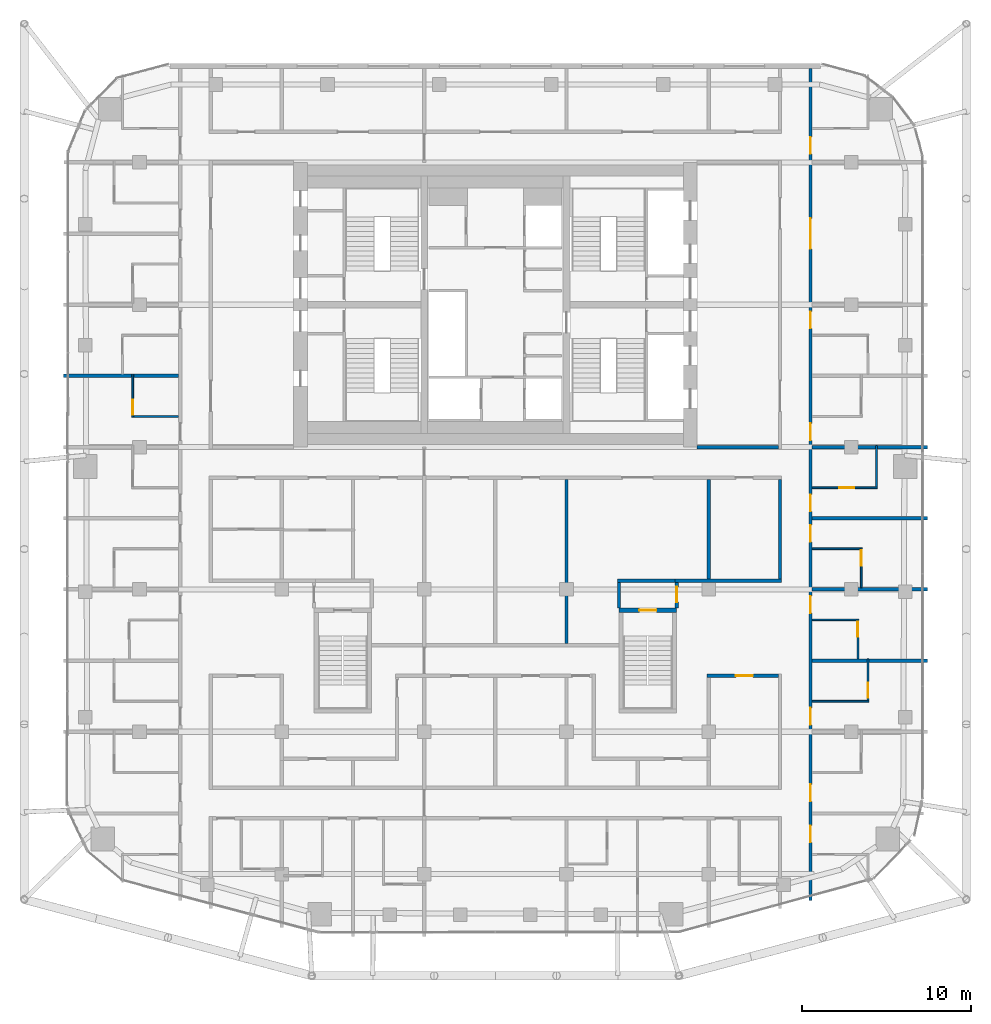
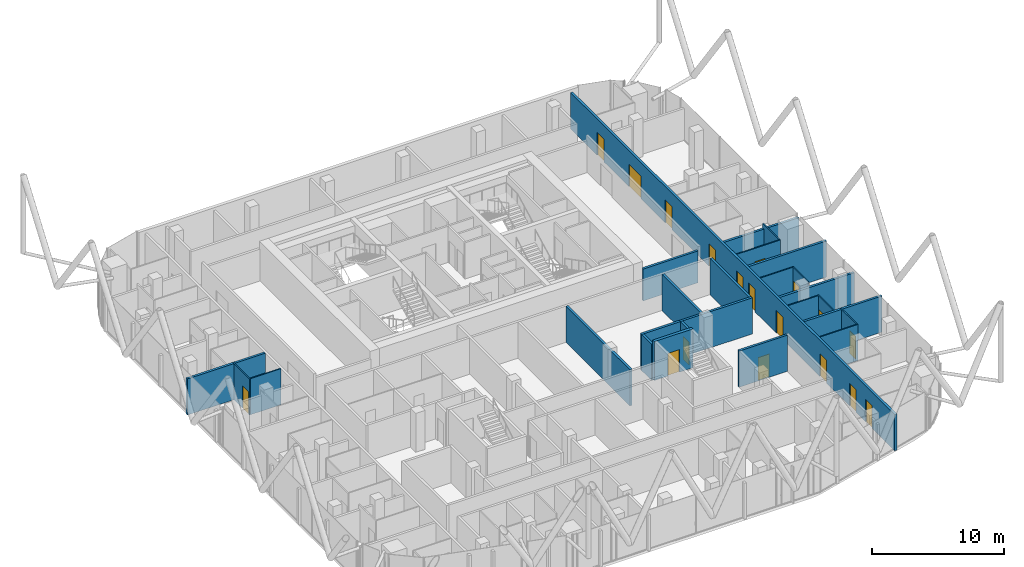
# One storey, part 26 of 31: 26 walls, 18 doors, 18 openings.
"""IFC4 building model written with IfcOpenShell, lengths in metres."""

from ifc_helpers import new_model, si_unit, direction, frame, frame_2d, origin, place, context, subcontext, project, spatial, rectangle, extrude, material, layer, layer_set, type_object, element, fill, save


model = new_model("IFC4")

# Units and contexts
model_context = context("Model", 3, precision=1e-05, world=origin(), true_north=direction((0.0, 1.0)))
body_context = subcontext(model_context, "Body", "Model", "MODEL_VIEW")
ifc_project = project(units=[si_unit("LENGTHUNIT", "METRE"), si_unit("AREAUNIT", "SQUARE_METRE"), si_unit("VOLUMEUNIT", "CUBIC_METRE"), si_unit("PLANEANGLEUNIT", "RADIAN"), si_unit("MASSUNIT", "GRAM", prefix="KILO")], contexts=[model_context])

# Site, building, storey
site_placement = place(None, origin())
site = spatial("IfcSite", under=ifc_project, at=site_placement, CompositionType="ELEMENT")
building_placement = place(site_placement, origin())
building = spatial("IfcBuilding", under=site, at=building_placement, Name="Marenta Gate Hotel Tower", CompositionType="ELEMENT")
storey_placement = place(building_placement, frame((0.0, 0.0, 191.300048828125)))
storey = spatial("IfcBuildingStorey", under=building, at=storey_placement, Name="L43", CompositionType="ELEMENT", Elevation=191.300048828125)

# Wall
ifc_material_1 = material(Name="Concrete blockwork", Category="masonry")
ifc_layer_1 = layer(ifc_material_1, 0.199951171875)
ifc_layer_set_1 = layer_set([ifc_layer_1], Name="Concrete blockwork")
wall_type_1 = type_object("IfcWallType", Name="Core boundary wall 200 REI 180", PredefinedType="PARTITIONING", material=ifc_layer_set_1)
wall_1_placement = place(storey_placement, frame((11.89990234375, 0.0, 0.0), z_axis=(0.0, 0.0, 1.0), x_axis=(1.0, 0.0, 0.0)))
element("IfcWall", 1, at=wall_1_placement, inside=storey, type_object=wall_type_1, Name="L43-CP-EW-ES", PredefinedType="PARTITIONING", context=body_context, shape_type="SweptSolid", body=[
    extrude(rectangle(XDim=4.800048828125, YDim=0.199951171875, at=frame_2d((2.39990234375, 0.0))), origin(), (0.0, 0.0, 1.0), 2.93994140625),
])

# Wall, opening, door
ifc_material_2 = material(Name="Concrete C40", Category="concrete")
ifc_layer_2 = layer(ifc_material_2, 0.25)
ifc_layer_set_2 = layer_set([ifc_layer_2], Name="Concrete C40")
wall_type_2 = type_object("IfcWallType", Name="Remote stair enclosure wall 250 REI 180", PredefinedType="SHEAR", material=ifc_layer_set_2)
wall_2_placement = place(storey_placement, frame((7.300048828125, -9.625, 0.099853515625), z_axis=(0.0, 0.0, 1.0), x_axis=(1.0, 0.0, 0.0)))
wall_2 = element("IfcWall", 2, at=wall_2_placement, inside=storey, type_object=wall_type_2, Name="L43-RS-Z3-2-W2", PredefinedType="SHEAR", context=body_context, shape_type="SweptSolid", body=[
    extrude(rectangle(XDim=3.39990234375, YDim=0.25, at=frame_2d((1.699951171875, 0.0))), origin(), (0.0, 0.0, 1.0), 3.60009765625),
])
opening_1_placement = place(wall_2_placement, frame((1.199951171875, 0.0, 0.0)))
opening_1 = element("IfcOpeningElement", 3, at=opening_1_placement, cuts=wall_2, Name="Opening VD", PredefinedType="OPENING", context=body_context, shape_type="SweptSolid", body=[
    extrude(rectangle(XDim=1.0, YDim=2.10009765625, at=frame_2d((0.5, 1.050048828125))), frame((0.0, 0.125, 0.0), z_axis=(0.0, -1.0, 0.0), x_axis=(1.0, 0.0, 0.0)), (0.0, 0.0, 1.0), 0.25),
])
ifc_material_3 = material(Name="Steel", Category="steel")
door_type_1 = type_object("IfcDoorType", Name="Stair vestibule door 1000x2100 FD60", OperationType="SINGLE_SWING_LEFT", PredefinedType="DOOR", material=ifc_material_3)
door_1_placement = place(opening_1_placement, origin())
door_1 = element("IfcDoor", 4, at=door_1_placement, inside=storey, type_object=door_type_1, Name="VD", OperationType="SINGLE_SWING_LEFT", OverallHeight=2.10009765625, OverallWidth=1.0, PredefinedType="DOOR", context=body_context, shape_type="SweptSolid", body=[
    extrude(rectangle(XDim=1.0, YDim=2.10009765625, at=frame_2d((0.5, 1.050048828125))), frame((0.0, 0.02490234375, 0.0), z_axis=(0.0, -1.0, 0.0), x_axis=(1.0, 0.0, 0.0)), (0.0, 0.0, 1.0), 0.050048828125),
])
fill(opening_1, door_1)

# Wall, openings, doors
ifc_material_4 = material(Name="Gypsum board on steel stud", Category="steel")
ifc_layer_3 = layer(ifc_material_4, 0.199951171875)
ifc_layer_set_3 = layer_set([ifc_layer_3], Name="Gypsum board on steel stud")
wall_type_3 = type_object("IfcWallType", Name="Room corridor wall 200 EI 60", PredefinedType="PARTITIONING", material=ifc_layer_set_3)
wall_3_placement = place(storey_placement, frame((18.60009765625, -26.7509765625, 0.0), z_axis=(0.0, 0.0, 1.0), x_axis=(0.0, 1.0, 0.0)))
wall_3 = element("IfcWall", 5, at=wall_3_placement, inside=storey, type_object=wall_type_3, Name="L43-PTN-W023", PredefinedType="PARTITIONING", context=body_context, shape_type="SweptSolid", body=[
    extrude(rectangle(XDim=49.091064453125, YDim=0.199951171875, at=frame_2d((24.54541015625, 0.0))), origin(), (0.0, 0.0, 1.0), 3.33984375),
])
opening_2_placement = place(wall_3_placement, frame((3.4130859375, 0.0, 0.0)))
opening_2 = element("IfcOpeningElement", 6, at=opening_2_placement, cuts=wall_3, Name="Opening G15-18", PredefinedType="OPENING", context=body_context, shape_type="SweptSolid", body=[
    extrude(rectangle(XDim=1.0, YDim=2.10009765625, at=frame_2d((0.5, 1.050048828125))), frame((0.0, 0.10009765625, 0.0), z_axis=(0.0, -1.0, 0.0), x_axis=(1.0, 0.0, 0.0)), (0.0, 0.0, 1.0), 0.199951171875),
])
opening_3_placement = place(wall_3_placement, frame((5.837890625, 0.0, 0.0)))
opening_3 = element("IfcOpeningElement", 7, at=opening_3_placement, cuts=wall_3, Name="Opening G15-20", PredefinedType="OPENING", context=body_context, shape_type="SweptSolid", body=[
    extrude(rectangle(XDim=1.0, YDim=2.10009765625, at=frame_2d((0.5, 1.050048828125))), frame((0.0, 0.10009765625, 0.0), z_axis=(0.0, -1.0, 0.0), x_axis=(1.0, 0.0, 0.0)), (0.0, 0.0, 1.0), 0.199951171875),
])
opening_4_placement = place(wall_3_placement, frame((10.35107421875, 0.0, 0.0)))
opening_4 = element("IfcOpeningElement", 8, at=opening_4_placement, cuts=wall_3, Name="Opening G15-22", PredefinedType="OPENING", context=body_context, shape_type="SweptSolid", body=[
    extrude(rectangle(XDim=1.0, YDim=2.10009765625, at=frame_2d((0.5, 1.050048828125))), frame((0.0, 0.10009765625, 0.0), z_axis=(0.0, -1.0, 0.0), x_axis=(1.0, 0.0, 0.0)), (0.0, 0.0, 1.0), 0.199951171875),
])
opening_5_placement = place(wall_3_placement, frame((16.950927734375, 0.0, 0.0)))
opening_5 = element("IfcOpeningElement", 9, at=opening_5_placement, cuts=wall_3, Name="Opening G15-24", PredefinedType="OPENING", context=body_context, shape_type="SweptSolid", body=[
    extrude(rectangle(XDim=1.0, YDim=2.10009765625, at=frame_2d((0.5, 1.050048828125))), frame((0.0, 0.10009765625, 0.0), z_axis=(0.0, -1.0, 0.0), x_axis=(1.0, 0.0, 0.0)), (0.0, 0.0, 1.0), 0.199951171875),
])
opening_6_placement = place(wall_3_placement, frame((21.15087890625, 0.0, 0.0)))
opening_6 = element("IfcOpeningElement", 10, at=opening_6_placement, cuts=wall_3, Name="Opening G15-26", PredefinedType="OPENING", context=body_context, shape_type="SweptSolid", body=[
    extrude(rectangle(XDim=1.0, YDim=2.10009765625, at=frame_2d((0.5, 1.050048828125))), frame((0.0, 0.10009765625, 0.0), z_axis=(0.0, -1.0, 0.0), x_axis=(1.0, 0.0, 0.0)), (0.0, 0.0, 1.0), 0.199951171875),
])
opening_7_placement = place(wall_3_placement, frame((22.950927734375, 0.0, 0.0)))
opening_7 = element("IfcOpeningElement", 11, at=opening_7_placement, cuts=wall_3, Name="Opening G15-28", PredefinedType="OPENING", context=body_context, shape_type="SweptSolid", body=[
    extrude(rectangle(XDim=1.0, YDim=2.10009765625, at=frame_2d((0.5, 1.050048828125))), frame((0.0, 0.10009765625, 0.0), z_axis=(0.0, -1.0, 0.0), x_axis=(1.0, 0.0, 0.0)), (0.0, 0.0, 1.0), 0.199951171875),
])
opening_8_placement = place(wall_3_placement, frame((27.15087890625, 0.0, 0.0)))
opening_8 = element("IfcOpeningElement", 12, at=opening_8_placement, cuts=wall_3, Name="Opening G15-30", PredefinedType="OPENING", context=body_context, shape_type="SweptSolid", body=[
    extrude(rectangle(XDim=1.0, YDim=2.10009765625, at=frame_2d((0.5, 1.050048828125))), frame((0.0, 0.10009765625, 0.0), z_axis=(0.0, -1.0, 0.0), x_axis=(1.0, 0.0, 0.0)), (0.0, 0.0, 1.0), 0.199951171875),
])
opening_9_placement = place(wall_3_placement, frame((33.7509765625, 0.0, 0.0)))
opening_9 = element("IfcOpeningElement", 13, at=opening_9_placement, cuts=wall_3, Name="Opening G15-32", PredefinedType="OPENING", context=body_context, shape_type="SweptSolid", body=[
    extrude(rectangle(XDim=1.0, YDim=2.10009765625, at=frame_2d((0.5, 1.050048828125))), frame((0.0, 0.10009765625, 0.0), z_axis=(0.0, -1.0, 0.0), x_axis=(1.0, 0.0, 0.0)), (0.0, 0.0, 1.0), 0.199951171875),
])
opening_10_placement = place(wall_3_placement, frame((38.450927734375, 0.0, 0.0)))
opening_10 = element("IfcOpeningElement", 14, at=opening_10_placement, cuts=wall_3, Name="Opening G15-34", PredefinedType="OPENING", context=body_context, shape_type="SweptSolid", body=[
    extrude(rectangle(XDim=1.800048828125, YDim=2.10009765625, at=frame_2d((0.89990234375, 1.050048828125))), frame((0.0, 0.10009765625, 0.0), z_axis=(0.0, -1.0, 0.0), x_axis=(1.0, 0.0, 0.0)), (0.0, 0.0, 1.0), 0.199951171875),
])
opening_11_placement = place(wall_3_placement, frame((44.051025390625, 0.0, 0.0)))
opening_11 = element("IfcOpeningElement", 15, at=opening_11_placement, cuts=wall_3, Name="Opening G15-35", PredefinedType="OPENING", context=body_context, shape_type="SweptSolid", body=[
    extrude(rectangle(XDim=1.0, YDim=2.10009765625, at=frame_2d((0.5, 1.050048828125))), frame((0.0, 0.10009765625, 0.0), z_axis=(0.0, -1.0, 0.0), x_axis=(1.0, 0.0, 0.0)), (0.0, 0.0, 1.0), 0.199951171875),
])
ifc_material_5 = material(Name="Timber door leaf", Category="wood")
door_type_2 = type_object("IfcDoorType", Name="Guest room door 1000x2100 EI 30", OperationType="NOTDEFINED", PredefinedType="DOOR", material=ifc_material_5)
door_2_placement = place(opening_2_placement, origin())
door_2 = element("IfcDoor", 16, at=door_2_placement, inside=storey, type_object=door_type_2, Name="L43-PD-D018", OperationType="SINGLE_SWING_RIGHT", OverallHeight=2.10009765625, OverallWidth=1.0, PredefinedType="DOOR", context=body_context, shape_type="SweptSolid", body=[
    extrude(rectangle(XDim=1.0, YDim=2.10009765625, at=frame_2d((0.5, 1.050048828125))), frame((0.0, 0.02490234375, 0.0), z_axis=(0.0, -1.0, 0.0), x_axis=(1.0, 0.0, 0.0)), (0.0, 0.0, 1.0), 0.050048828125),
])
fill(opening_2, door_2)
door_3_placement = place(opening_3_placement, origin())
door_3 = element("IfcDoor", 17, at=door_3_placement, inside=storey, type_object=door_type_2, Name="L43-PD-D020", OperationType="SINGLE_SWING_RIGHT", OverallHeight=2.10009765625, OverallWidth=1.0, PredefinedType="DOOR", context=body_context, shape_type="SweptSolid", body=[
    extrude(rectangle(XDim=1.0, YDim=2.10009765625, at=frame_2d((0.5, 1.050048828125))), frame((0.0, 0.02490234375, 0.0), z_axis=(0.0, -1.0, 0.0), x_axis=(1.0, 0.0, 0.0)), (0.0, 0.0, 1.0), 0.050048828125),
])
fill(opening_3, door_3)
door_4_placement = place(opening_4_placement, origin())
door_4 = element("IfcDoor", 18, at=door_4_placement, inside=storey, type_object=door_type_2, Name="L43-PD-D022", OperationType="SINGLE_SWING_RIGHT", OverallHeight=2.10009765625, OverallWidth=1.0, PredefinedType="DOOR", context=body_context, shape_type="SweptSolid", body=[
    extrude(rectangle(XDim=1.0, YDim=2.10009765625, at=frame_2d((0.5, 1.050048828125))), frame((0.0, 0.02490234375, 0.0), z_axis=(0.0, -1.0, 0.0), x_axis=(1.0, 0.0, 0.0)), (0.0, 0.0, 1.0), 0.050048828125),
])
fill(opening_4, door_4)
door_5_placement = place(opening_5_placement, origin())
door_5 = element("IfcDoor", 19, at=door_5_placement, inside=storey, type_object=door_type_2, Name="L43-PD-D024", OperationType="SINGLE_SWING_RIGHT", OverallHeight=2.10009765625, OverallWidth=1.0, PredefinedType="DOOR", context=body_context, shape_type="SweptSolid", body=[
    extrude(rectangle(XDim=1.0, YDim=2.10009765625, at=frame_2d((0.5, 1.050048828125))), frame((0.0, 0.02490234375, 0.0), z_axis=(0.0, -1.0, 0.0), x_axis=(1.0, 0.0, 0.0)), (0.0, 0.0, 1.0), 0.050048828125),
])
fill(opening_5, door_5)
door_6_placement = place(opening_6_placement, origin())
door_6 = element("IfcDoor", 20, at=door_6_placement, inside=storey, type_object=door_type_2, Name="L43-PD-D026", OperationType="SINGLE_SWING_RIGHT", OverallHeight=2.10009765625, OverallWidth=1.0, PredefinedType="DOOR", context=body_context, shape_type="SweptSolid", body=[
    extrude(rectangle(XDim=1.0, YDim=2.10009765625, at=frame_2d((0.5, 1.050048828125))), frame((0.0, 0.02490234375, 0.0), z_axis=(0.0, -1.0, 0.0), x_axis=(1.0, 0.0, 0.0)), (0.0, 0.0, 1.0), 0.050048828125),
])
fill(opening_6, door_6)
door_7_placement = place(opening_7_placement, origin())
door_7 = element("IfcDoor", 21, at=door_7_placement, inside=storey, type_object=door_type_2, Name="L43-PD-D028", OperationType="SINGLE_SWING_RIGHT", OverallHeight=2.10009765625, OverallWidth=1.0, PredefinedType="DOOR", context=body_context, shape_type="SweptSolid", body=[
    extrude(rectangle(XDim=1.0, YDim=2.10009765625, at=frame_2d((0.5, 1.050048828125))), frame((0.0, 0.02490234375, 0.0), z_axis=(0.0, -1.0, 0.0), x_axis=(1.0, 0.0, 0.0)), (0.0, 0.0, 1.0), 0.050048828125),
])
fill(opening_7, door_7)
door_8_placement = place(opening_8_placement, origin())
door_8 = element("IfcDoor", 22, at=door_8_placement, inside=storey, type_object=door_type_2, Name="L43-PD-D030", OperationType="SINGLE_SWING_RIGHT", OverallHeight=2.10009765625, OverallWidth=1.0, PredefinedType="DOOR", context=body_context, shape_type="SweptSolid", body=[
    extrude(rectangle(XDim=1.0, YDim=2.10009765625, at=frame_2d((0.5, 1.050048828125))), frame((0.0, 0.02490234375, 0.0), z_axis=(0.0, -1.0, 0.0), x_axis=(1.0, 0.0, 0.0)), (0.0, 0.0, 1.0), 0.050048828125),
])
fill(opening_8, door_8)
door_9_placement = place(opening_9_placement, origin())
door_9 = element("IfcDoor", 23, at=door_9_placement, inside=storey, type_object=door_type_2, Name="L43-PD-D032", OperationType="SINGLE_SWING_RIGHT", OverallHeight=2.10009765625, OverallWidth=1.0, PredefinedType="DOOR", context=body_context, shape_type="SweptSolid", body=[
    extrude(rectangle(XDim=1.0, YDim=2.10009765625, at=frame_2d((0.5, 1.050048828125))), frame((0.0, 0.02490234375, 0.0), z_axis=(0.0, -1.0, 0.0), x_axis=(1.0, 0.0, 0.0)), (0.0, 0.0, 1.0), 0.050048828125),
])
fill(opening_9, door_9)
door_10_placement = place(opening_11_placement, origin())
door_10 = element("IfcDoor", 24, at=door_10_placement, inside=storey, type_object=door_type_2, Name="L43-PD-D035", OperationType="SINGLE_SWING_LEFT", OverallHeight=2.10009765625, OverallWidth=1.0, PredefinedType="DOOR", context=body_context, shape_type="SweptSolid", body=[
    extrude(rectangle(XDim=1.0, YDim=2.10009765625, at=frame_2d((0.5, 1.050048828125))), frame((0.0, 0.02490234375, 0.0), z_axis=(0.0, -1.0, 0.0), x_axis=(1.0, 0.0, 0.0)), (0.0, 0.0, 1.0), 0.050048828125),
])
fill(opening_11, door_10)
ifc_material_6 = material(Name="Timber door leaf", Category="wood")
door_type_3 = type_object("IfcDoorType", Name="Room amenity door 1800x2100 EI 30", OperationType="DOUBLE_DOOR_SINGLE_SWING", PredefinedType="DOOR", material=ifc_material_6)
door_11_placement = place(opening_10_placement, origin())
door_11 = element("IfcDoor", 25, at=door_11_placement, inside=storey, type_object=door_type_3, Name="L43-PD-D034", OperationType="DOUBLE_DOOR_SINGLE_SWING", OverallHeight=2.10009765625, OverallWidth=1.800048828125, PredefinedType="DOOR", context=body_context, shape_type="SweptSolid", body=[
    extrude(rectangle(XDim=1.800048828125, YDim=2.10009765625, at=frame_2d((0.89990234375, 1.050048828125))), frame((0.0, 0.02490234375, 0.0), z_axis=(0.0, -1.0, 0.0), x_axis=(1.0, 0.0, 0.0)), (0.0, 0.0, 1.0), 0.050048828125),
])
fill(opening_10, door_11)

# Wall
wall_4_placement = place(storey_placement, frame((16.800048828125, -7.800048828125, 0.0), z_axis=(0.0, 0.0, 1.0), x_axis=(0.0, 1.0, 0.0)))
element("IfcWall", 26, at=wall_4_placement, inside=storey, type_object=wall_type_3, Name="L43-PTN-W028", PredefinedType="PARTITIONING", context=body_context, shape_type="SweptSolid", body=[
    extrude(rectangle(XDim=5.900146484375, YDim=0.199951171875, at=frame_2d((2.9501953125, 0.0))), origin(), (0.0, 0.0, 1.0), 3.33984375),
])

# Wall, opening, door
wall_5_placement = place(storey_placement, frame((12.5, -13.5, 0.0), z_axis=(0.0, 0.0, 1.0), x_axis=(1.0, 0.0, 0.0)))
wall_5 = element("IfcWall", 27, at=wall_5_placement, inside=storey, type_object=wall_type_3, Name="L43-PTN-W037", PredefinedType="PARTITIONING", context=body_context, shape_type="SweptSolid", body=[
    extrude(rectangle(XDim=4.199951171875, YDim=0.199951171875, at=frame_2d((2.10009765625, 0.0))), origin(), (0.0, 0.0, 1.0), 3.33984375),
])
opening_12_placement = place(wall_5_placement, frame((1.699951171875, 0.0, 0.0)))
opening_12 = element("IfcOpeningElement", 28, at=opening_12_placement, cuts=wall_5, Name="Opening G15-17", PredefinedType="OPENING", context=body_context, shape_type="SweptSolid", body=[
    extrude(rectangle(XDim=1.0, YDim=2.10009765625, at=frame_2d((0.5, 1.050048828125))), frame((0.0, 0.10009765625, 0.0), z_axis=(0.0, -1.0, 0.0), x_axis=(1.0, 0.0, 0.0)), (0.0, 0.0, 1.0), 0.199951171875),
])
ifc_material_7 = material(Name="Timber door leaf", Category="wood")
door_type_4 = type_object("IfcDoorType", Name="Room amenity door 1000x2100 EI 30", OperationType="NOTDEFINED", PredefinedType="DOOR", material=ifc_material_7)
door_12_placement = place(opening_12_placement, origin())
door_12 = element("IfcDoor", 29, at=door_12_placement, inside=storey, type_object=door_type_4, Name="L43-PD-D017", OperationType="SINGLE_SWING_LEFT", OverallHeight=2.10009765625, OverallWidth=1.0, PredefinedType="DOOR", context=body_context, shape_type="SweptSolid", body=[
    extrude(rectangle(XDim=1.0, YDim=2.10009765625, at=frame_2d((0.5, 1.050048828125))), frame((0.0, 0.02490234375, 0.0), z_axis=(0.0, -1.0, 0.0), x_axis=(1.0, 0.0, 0.0)), (0.0, 0.0, 1.0), 0.050048828125),
])
fill(opening_12, door_12)

# Wall
wall_6_placement = place(storey_placement, frame((10.60009765625, -7.89990234375, 0.0), z_axis=(0.0, 0.0, 1.0), x_axis=(1.0, 0.0, 0.0)))
element("IfcWall", 30, at=wall_6_placement, inside=storey, type_object=wall_type_3, Name="L43-PTN-W054", PredefinedType="PARTITIONING", context=body_context, shape_type="SweptSolid", body=[
    extrude(rectangle(XDim=6.2998046875, YDim=0.199951171875, at=frame_2d((3.14990234375, 0.0))), origin(), (0.0, 0.0, 1.0), 3.33984375),
])

# Wall, opening, door
ifc_material_8 = material(Name="Concrete blockwork", Category="masonry")
ifc_layer_4 = layer(ifc_material_8, 0.199951171875)
ifc_layer_set_4 = layer_set([ifc_layer_4], Name="Concrete blockwork")
wall_type_4 = type_object("IfcWallType", Name="Room corridor wall 200 REI 180", PredefinedType="PARTITIONING", material=ifc_layer_set_4)
wall_7_placement = place(storey_placement, frame((10.699951171875, -9.5, 0.0), z_axis=(0.0, 0.0, 1.0), x_axis=(0.0, 1.0, 0.0)))
wall_7 = element("IfcWall", 31, at=wall_7_placement, inside=storey, type_object=wall_type_4, Name="L43-PTN-W046", PredefinedType="PARTITIONING", context=body_context, shape_type="SweptSolid", body=[
    extrude(rectangle(XDim=1.5, YDim=0.199951171875, at=frame_2d((0.75, 0.0))), origin(), (0.0, 0.0, 1.0), 3.33984375),
])
opening_13_placement = place(wall_7_placement, frame((0.35009765625, 0.0, 0.0)))
opening_13 = element("IfcOpeningElement", 32, at=opening_13_placement, cuts=wall_7, Name="Opening G15-77", PredefinedType="OPENING", context=body_context, shape_type="SweptSolid", body=[
    extrude(rectangle(XDim=0.89990234375, YDim=2.10009765625, at=frame_2d((0.449951171875, 1.050048828125))), frame((0.0, 0.10009765625, 0.0), z_axis=(0.0, -1.0, 0.0), x_axis=(1.0, 0.0, 0.0)), (0.0, 0.0, 1.0), 0.199951171875),
])
ifc_material_9 = material(Name="Hollow steel door set", Category="steel")
door_type_5 = type_object("IfcDoorType", Name="Stair vestibule door 900x2100 EI 60", OperationType="NOTDEFINED", PredefinedType="DOOR", material=ifc_material_9)
door_13_placement = place(opening_13_placement, origin())
door_13 = element("IfcDoor", 33, at=door_13_placement, inside=storey, type_object=door_type_5, Name="L43-PD-D077", OperationType="SINGLE_SWING_RIGHT", OverallHeight=2.10009765625, OverallWidth=0.89990234375, PredefinedType="DOOR", context=body_context, shape_type="SweptSolid", body=[
    extrude(rectangle(XDim=0.89990234375, YDim=2.10009765625, at=frame_2d((0.449951171875, 1.050048828125))), frame((0.0, 0.02490234375, 0.0), z_axis=(0.0, -1.0, 0.0), x_axis=(1.0, 0.0, 0.0)), (0.0, 0.0, 1.0), 0.050048828125),
])
fill(opening_13, door_13)

# Wall
ifc_material_10 = material(Name="Gypsum board on steel stud", Category="steel")
ifc_layer_5 = layer(ifc_material_10, 0.10009765625)
ifc_layer_set_5 = layer_set([ifc_layer_5], Name="Gypsum board on steel stud")
wall_type_5 = type_object("IfcWallType", Name="Room partition 100", PredefinedType="PARTITIONING", material=ifc_layer_set_5)
wall_8_placement = place(storey_placement, frame((22.5, -2.35009765625, 0.0), z_axis=(0.0, 0.0, 1.0), x_axis=(0.0, 1.0, 0.0)))
element("IfcWall", 34, at=wall_8_placement, inside=storey, type_object=wall_type_5, Name="L43-PTN-W008", PredefinedType="PARTITIONING", context=body_context, shape_type="SweptSolid", body=[
    extrude(rectangle(XDim=2.4501953125, YDim=0.10009765625, at=frame_2d((1.22509765625, 0.0))), origin(), (0.0, 0.0, 1.0), 3.33984375),
])

# Wall, opening, door
wall_9_placement = place(storey_placement, frame((22.0, -14.949951171875, 0.0), z_axis=(0.0, 0.0, 1.0), x_axis=(0.0, 1.0, 0.0)))
wall_9 = element("IfcWall", 35, at=wall_9_placement, inside=storey, type_object=wall_type_5, Name="L43-PTN-W010", PredefinedType="PARTITIONING", context=body_context, shape_type="SweptSolid", body=[
    extrude(rectangle(XDim=2.449951171875, YDim=0.10009765625, at=frame_2d((1.22509765625, 0.0))), origin(), (0.0, 0.0, 1.0), 3.33984375),
])
opening_14_placement = place(wall_9_placement, frame((0.14990234375, 0.0, 0.0)))
opening_14 = element("IfcOpeningElement", 36, at=opening_14_placement, cuts=wall_9, Name="Opening G15-23", PredefinedType="OPENING", context=body_context, shape_type="SweptSolid", body=[
    extrude(rectangle(XDim=0.89990234375, YDim=2.10009765625, at=frame_2d((0.449951171875, 1.050048828125))), frame((0.0, 0.050048828125, 0.0), z_axis=(0.0, -1.0, 0.0), x_axis=(1.0, 0.0, 0.0)), (0.0, 0.0, 1.0), 0.10009765625),
])
ifc_material_11 = material(Name="Timber door leaf", Category="wood")
door_type_6 = type_object("IfcDoorType", Name="Guest bathroom door 900x2100", OperationType="NOTDEFINED", PredefinedType="DOOR", material=ifc_material_11)
door_14_placement = place(opening_14_placement, origin())
door_14 = element("IfcDoor", 37, at=door_14_placement, inside=storey, type_object=door_type_6, Name="L43-PD-D023", OperationType="SINGLE_SWING_LEFT", OverallHeight=2.10009765625, OverallWidth=0.89990234375, PredefinedType="DOOR", context=body_context, shape_type="SweptSolid", body=[
    extrude(rectangle(XDim=0.89990234375, YDim=2.10009765625, at=frame_2d((0.449951171875, 1.050048828125))), frame((0.0, 0.02490234375, 0.0), z_axis=(0.0, -1.0, 0.0), x_axis=(1.0, 0.0, 0.0)), (0.0, 0.0, 1.0), 0.050048828125),
])
fill(opening_14, door_14)

wall_10_placement = place(storey_placement, frame((21.60009765625, -8.300048828125, 0.0), z_axis=(0.0, 0.0, 1.0), x_axis=(0.0, 1.0, 0.0)))
wall_10 = element("IfcWall", 38, at=wall_10_placement, inside=storey, type_object=wall_type_5, Name="L43-PTN-W017", PredefinedType="PARTITIONING", context=body_context, shape_type="SweptSolid", body=[
    extrude(rectangle(XDim=2.35009765625, YDim=0.10009765625, at=frame_2d((1.175048828125, 0.0))), origin(), (0.0, 0.0, 1.0), 3.33984375),
])
opening_15_placement = place(wall_10_placement, frame((1.300048828125, 0.0, 0.0)))
opening_15 = element("IfcOpeningElement", 39, at=opening_15_placement, cuts=wall_10, Name="Opening G15-27", PredefinedType="OPENING", context=body_context, shape_type="SweptSolid", body=[
    extrude(rectangle(XDim=0.89990234375, YDim=2.10009765625, at=frame_2d((0.449951171875, 1.050048828125))), frame((0.0, 0.050048828125, 0.0), z_axis=(0.0, -1.0, 0.0), x_axis=(1.0, 0.0, 0.0)), (0.0, 0.0, 1.0), 0.10009765625),
])
door_15_placement = place(opening_15_placement, origin())
door_15 = element("IfcDoor", 40, at=door_15_placement, inside=storey, type_object=door_type_6, Name="L43-PD-D027", OperationType="SINGLE_SWING_RIGHT", OverallHeight=2.10009765625, OverallWidth=0.89990234375, PredefinedType="DOOR", context=body_context, shape_type="SweptSolid", body=[
    extrude(rectangle(XDim=0.89990234375, YDim=2.10009765625, at=frame_2d((0.449951171875, 1.050048828125))), frame((0.0, 0.02490234375, 0.0), z_axis=(0.0, -1.0, 0.0), x_axis=(1.0, 0.0, 0.0)), (0.0, 0.0, 1.0), 0.050048828125),
])
fill(opening_15, door_15)

wall_11_placement = place(storey_placement, frame((21.39990234375, -12.5, 0.0), z_axis=(0.0, 0.0, 1.0), x_axis=(0.0, 1.0, 0.0)))
wall_11 = element("IfcWall", 41, at=wall_11_placement, inside=storey, type_object=wall_type_5, Name="L43-PTN-W019", PredefinedType="PARTITIONING", context=body_context, shape_type="SweptSolid", body=[
    extrude(rectangle(XDim=2.35009765625, YDim=0.10009765625, at=frame_2d((1.175048828125, 0.0))), origin(), (0.0, 0.0, 1.0), 3.33984375),
])
opening_16_placement = place(wall_11_placement, frame((1.300048828125, 0.0, 0.0)))
opening_16 = element("IfcOpeningElement", 42, at=opening_16_placement, cuts=wall_11, Name="Opening G15-25", PredefinedType="OPENING", context=body_context, shape_type="SweptSolid", body=[
    extrude(rectangle(XDim=0.89990234375, YDim=2.10009765625, at=frame_2d((0.449951171875, 1.050048828125))), frame((0.0, 0.050048828125, 0.0), z_axis=(0.0, -1.0, 0.0), x_axis=(1.0, 0.0, 0.0)), (0.0, 0.0, 1.0), 0.10009765625),
])
door_16_placement = place(opening_16_placement, origin())
door_16 = element("IfcDoor", 43, at=door_16_placement, inside=storey, type_object=door_type_6, Name="L43-PD-D025", OperationType="SINGLE_SWING_RIGHT", OverallHeight=2.10009765625, OverallWidth=0.89990234375, PredefinedType="DOOR", context=body_context, shape_type="SweptSolid", body=[
    extrude(rectangle(XDim=0.89990234375, YDim=2.10009765625, at=frame_2d((0.449951171875, 1.050048828125))), frame((0.0, 0.02490234375, 0.0), z_axis=(0.0, -1.0, 0.0), x_axis=(1.0, 0.0, 0.0)), (0.0, 0.0, 1.0), 0.050048828125),
])
fill(opening_16, door_16)

# Walls
wall_12_placement = place(storey_placement, frame((18.699951171875, -15.0, 0.0), z_axis=(0.0, 0.0, 1.0), x_axis=(1.0, 0.0, 0.0)))
element("IfcWall", 44, at=wall_12_placement, inside=storey, type_object=wall_type_5, Name="L43-PTN-W033", PredefinedType="PARTITIONING", context=body_context, shape_type="SweptSolid", body=[
    extrude(rectangle(XDim=3.35009765625, YDim=0.10009765625, at=frame_2d((1.675048828125, 0.0))), origin(), (0.0, 0.0, 1.0), 3.33984375),
])
wall_13_placement = place(storey_placement, frame((18.699951171875, -10.199951171875, 0.0), z_axis=(0.0, 0.0, 1.0), x_axis=(1.0, 0.0, 0.0)))
element("IfcWall", 45, at=wall_13_placement, inside=storey, type_object=wall_type_5, Name="L43-PTN-W048", PredefinedType="PARTITIONING", context=body_context, shape_type="SweptSolid", body=[
    extrude(rectangle(XDim=2.650146484375, YDim=0.10009765625, at=frame_2d((1.3251953125, 0.0))), origin(), (0.0, 0.0, 1.0), 3.33984375),
])
wall_14_placement = place(storey_placement, frame((18.699951171875, -6.0, 0.0), z_axis=(0.0, 0.0, 1.0), x_axis=(1.0, 0.0, 0.0)))
element("IfcWall", 46, at=wall_14_placement, inside=storey, type_object=wall_type_5, Name="L43-PTN-W060", PredefinedType="PARTITIONING", context=body_context, shape_type="SweptSolid", body=[
    extrude(rectangle(XDim=2.85009765625, YDim=0.10009765625, at=frame_2d((1.425048828125, 0.0))), origin(), (0.0, 0.0, 1.0), 3.33984375),
])

# Wall, opening, door
wall_15_placement = place(storey_placement, frame((18.699951171875, -2.39990234375, 0.0), z_axis=(0.0, 0.0, 1.0), x_axis=(1.0, 0.0, 0.0)))
wall_15 = element("IfcWall", 47, at=wall_15_placement, inside=storey, type_object=wall_type_5, Name="L43-PTN-W071", PredefinedType="PARTITIONING", context=body_context, shape_type="SweptSolid", body=[
    extrude(rectangle(XDim=3.85009765625, YDim=0.10009765625, at=frame_2d((1.925048828125, 0.0))), origin(), (0.0, 0.0, 1.0), 3.33984375),
])
opening_17_placement = place(wall_15_placement, frame((1.594970703125, 0.0, 0.0)))
opening_17 = element("IfcOpeningElement", 48, at=opening_17_placement, cuts=wall_15, Name="Opening G15-29", PredefinedType="OPENING", context=body_context, shape_type="SweptSolid", body=[
    extrude(rectangle(XDim=0.89990234375, YDim=2.10009765625, at=frame_2d((0.449951171875, 1.050048828125))), frame((0.0, 0.050048828125, 0.0), z_axis=(0.0, -1.0, 0.0), x_axis=(1.0, 0.0, 0.0)), (0.0, 0.0, 1.0), 0.10009765625),
])
door_17_placement = place(opening_17_placement, origin())
door_17 = element("IfcDoor", 49, at=door_17_placement, inside=storey, type_object=door_type_6, Name="L43-PD-D029", OperationType="SINGLE_SWING_RIGHT", OverallHeight=2.10009765625, OverallWidth=0.89990234375, PredefinedType="DOOR", context=body_context, shape_type="SweptSolid", body=[
    extrude(rectangle(XDim=0.89990234375, YDim=2.10009765625, at=frame_2d((0.449951171875, 1.050048828125))), frame((0.0, 0.02490234375, 0.0), z_axis=(0.0, -1.0, 0.0), x_axis=(1.0, 0.0, 0.0)), (0.0, 0.0, 1.0), 0.050048828125),
])
fill(opening_17, door_17)

# Wall
wall_16_placement = place(storey_placement, frame((-21.35009765625, 1.800048828125, 0.0), z_axis=(0.0, 0.0, 1.0), x_axis=(1.0, 0.0, 0.0)))
element("IfcWall", 50, at=wall_16_placement, inside=storey, type_object=wall_type_5, Name="L43-PTN-W077", PredefinedType="PARTITIONING", context=body_context, shape_type="SweptSolid", body=[
    extrude(rectangle(XDim=2.650146484375, YDim=0.10009765625, at=frame_2d((1.3251953125, 0.0))), origin(), (0.0, 0.0, 1.0), 3.33984375),
])

# Wall, opening, door
wall_17_placement = place(storey_placement, frame((-21.39990234375, 1.75, 0.0), z_axis=(0.0, 0.0, 1.0), x_axis=(0.0, 1.0, 0.0)))
wall_17 = element("IfcWall", 51, at=wall_17_placement, inside=storey, type_object=wall_type_5, Name="L43-PTN-W117", PredefinedType="PARTITIONING", context=body_context, shape_type="SweptSolid", body=[
    extrude(rectangle(XDim=2.550048828125, YDim=0.10009765625, at=frame_2d((1.27490234375, 0.0))), origin(), (0.0, 0.0, 1.0), 3.33984375),
])
opening_18_placement = place(wall_17_placement, frame((0.14990234375, 0.0, 0.0)))
opening_18 = element("IfcOpeningElement", 52, at=opening_18_placement, cuts=wall_17, Name="Opening G15-67", PredefinedType="OPENING", context=body_context, shape_type="SweptSolid", body=[
    extrude(rectangle(XDim=0.89990234375, YDim=2.10009765625, at=frame_2d((0.449951171875, 1.050048828125))), frame((0.0, 0.050048828125, 0.0), z_axis=(0.0, -1.0, 0.0), x_axis=(1.0, 0.0, 0.0)), (0.0, 0.0, 1.0), 0.10009765625),
])
door_18_placement = place(opening_18_placement, origin())
door_18 = element("IfcDoor", 53, at=door_18_placement, inside=storey, type_object=door_type_6, Name="L43-PD-D067", OperationType="SINGLE_SWING_RIGHT", OverallHeight=2.10009765625, OverallWidth=0.89990234375, PredefinedType="DOOR", context=body_context, shape_type="SweptSolid", body=[
    extrude(rectangle(XDim=0.89990234375, YDim=2.10009765625, at=frame_2d((0.449951171875, 1.050048828125))), frame((0.0, 0.02490234375, 0.0), z_axis=(0.0, -1.0, 0.0), x_axis=(1.0, 0.0, 0.0)), (0.0, 0.0, 1.0), 0.050048828125),
])
fill(opening_18, door_18)

# Walls
ifc_material_12 = material(Name="Gypsum board on steel stud", Category="steel")
ifc_layer_6 = layer(ifc_material_12, 0.199951171875)
ifc_layer_set_6 = layer_set([ifc_layer_6], Name="Gypsum board on steel stud")
wall_type_6 = type_object("IfcWallType", Name="Room party wall 200 EI 60", PredefinedType="PARTITIONING", material=ifc_layer_set_6)
wall_18_placement = place(storey_placement, frame((12.60009765625, -7.800048828125, 0.0), z_axis=(0.0, 0.0, 1.0), x_axis=(0.0, 1.0, 0.0)))
element("IfcWall", 54, at=wall_18_placement, inside=storey, type_object=wall_type_6, Name="L43-PTN-W040", PredefinedType="PARTITIONING", context=body_context, shape_type="SweptSolid", body=[
    extrude(rectangle(XDim=5.900146484375, YDim=0.199951171875, at=frame_2d((2.9501953125, 0.0))), origin(), (0.0, 0.0, 1.0), 3.33984375),
])
wall_19_placement = place(storey_placement, frame((18.699951171875, -12.60009765625, 0.0), z_axis=(0.0, 0.0, 1.0), x_axis=(1.0, 0.0, 0.0)))
element("IfcWall", 55, at=wall_19_placement, inside=storey, type_object=wall_type_6, Name="L43-PTN-W044", PredefinedType="PARTITIONING", context=body_context, shape_type="SweptSolid", body=[
    extrude(rectangle(XDim=6.800048828125, YDim=0.199951171875, at=frame_2d((3.39990234375, 0.0))), origin(), (0.0, 0.0, 1.0), 3.33984375),
])
wall_20_placement = place(storey_placement, frame((18.699951171875, -8.39990234375, 0.0), z_axis=(0.0, 0.0, 1.0), x_axis=(1.0, 0.0, 0.0)))
element("IfcWall", 56, at=wall_20_placement, inside=storey, type_object=wall_type_6, Name="L43-PTN-W052", PredefinedType="PARTITIONING", context=body_context, shape_type="SweptSolid", body=[
    extrude(rectangle(XDim=6.800048828125, YDim=0.199951171875, at=frame_2d((3.39990234375, 0.0))), origin(), (0.0, 0.0, 1.0), 2.93994140625),
])
wall_21_placement = place(storey_placement, frame((4.199951171875, -11.60009765625, 0.0), z_axis=(0.0, 0.0, 1.0), x_axis=(0.0, 1.0, 0.0)))
element("IfcWall", 57, at=wall_21_placement, inside=storey, type_object=wall_type_6, Name="L43-PTN-W066", PredefinedType="PARTITIONING", context=body_context, shape_type="SweptSolid", body=[
    extrude(rectangle(XDim=9.7001953125, YDim=0.199951171875, at=frame_2d((4.85009765625, 0.0))), origin(), (0.0, 0.0, 1.0), 3.33984375),
])
wall_22_placement = place(storey_placement, frame((18.699951171875, -4.199951171875, 0.0), z_axis=(0.0, 0.0, 1.0), x_axis=(1.0, 0.0, 0.0)))
element("IfcWall", 58, at=wall_22_placement, inside=storey, type_object=wall_type_6, Name="L43-PTN-W069", PredefinedType="PARTITIONING", context=body_context, shape_type="SweptSolid", body=[
    extrude(rectangle(XDim=6.800048828125, YDim=0.199951171875, at=frame_2d((3.39990234375, 0.0))), origin(), (0.0, 0.0, 1.0), 3.33984375),
])
wall_23_placement = place(storey_placement, frame((18.699951171875, 0.0, 0.0), z_axis=(0.0, 0.0, 1.0), x_axis=(1.0, 0.0, 0.0)))
element("IfcWall", 59, at=wall_23_placement, inside=storey, type_object=wall_type_6, Name="L43-PTN-W076", PredefinedType="PARTITIONING", context=body_context, shape_type="SweptSolid", body=[
    extrude(rectangle(XDim=6.800048828125, YDim=0.199951171875, at=frame_2d((3.39990234375, 0.0))), origin(), (0.0, 0.0, 1.0), 2.93994140625),
])
wall_24_placement = place(storey_placement, frame((-25.5, 4.199951171875, 0.0), z_axis=(0.0, 0.0, 1.0), x_axis=(1.0, 0.0, 0.0)))
element("IfcWall", 60, at=wall_24_placement, inside=storey, type_object=wall_type_6, Name="L43-PTN-W083", PredefinedType="PARTITIONING", context=body_context, shape_type="SweptSolid", body=[
    extrude(rectangle(XDim=6.800048828125, YDim=0.199951171875, at=frame_2d((3.39990234375, 0.0))), origin(), (0.0, 0.0, 1.0), 3.33984375),
])
ifc_material_13 = material(Name="Concrete blockwork", Category="masonry")
ifc_layer_7 = layer(ifc_material_13, 0.199951171875)
ifc_layer_set_7 = layer_set([ifc_layer_7], Name="Concrete blockwork")
wall_type_7 = type_object("IfcWallType", Name="Room party wall 200 REI 180", PredefinedType="PARTITIONING", material=ifc_layer_set_7)
wall_25_placement = place(storey_placement, frame((7.199951171875, -7.89990234375, 0.0), z_axis=(0.0, 0.0, 1.0), x_axis=(1.0, 0.0, 0.0)))
element("IfcWall", 61, at=wall_25_placement, inside=storey, type_object=wall_type_7, Name="L43-PTN-W056", PredefinedType="PARTITIONING", context=body_context, shape_type="SweptSolid", body=[
    extrude(rectangle(XDim=3.400146484375, YDim=0.199951171875, at=frame_2d((1.7001953125, 0.0))), origin(), (0.0, 0.0, 1.0), 3.33984375),
])
wall_26_placement = place(storey_placement, frame((7.300048828125, -9.5, 0.0), z_axis=(0.0, 0.0, 1.0), x_axis=(0.0, 1.0, 0.0)))
element("IfcWall", 62, at=wall_26_placement, inside=storey, type_object=wall_type_7, Name="L43-PTN-W057", PredefinedType="PARTITIONING", context=body_context, shape_type="SweptSolid", body=[
    extrude(rectangle(XDim=1.5, YDim=0.199951171875, at=frame_2d((0.75, 0.0))), origin(), (0.0, 0.0, 1.0), 3.33984375),
])

save(model, "model.ifc")
